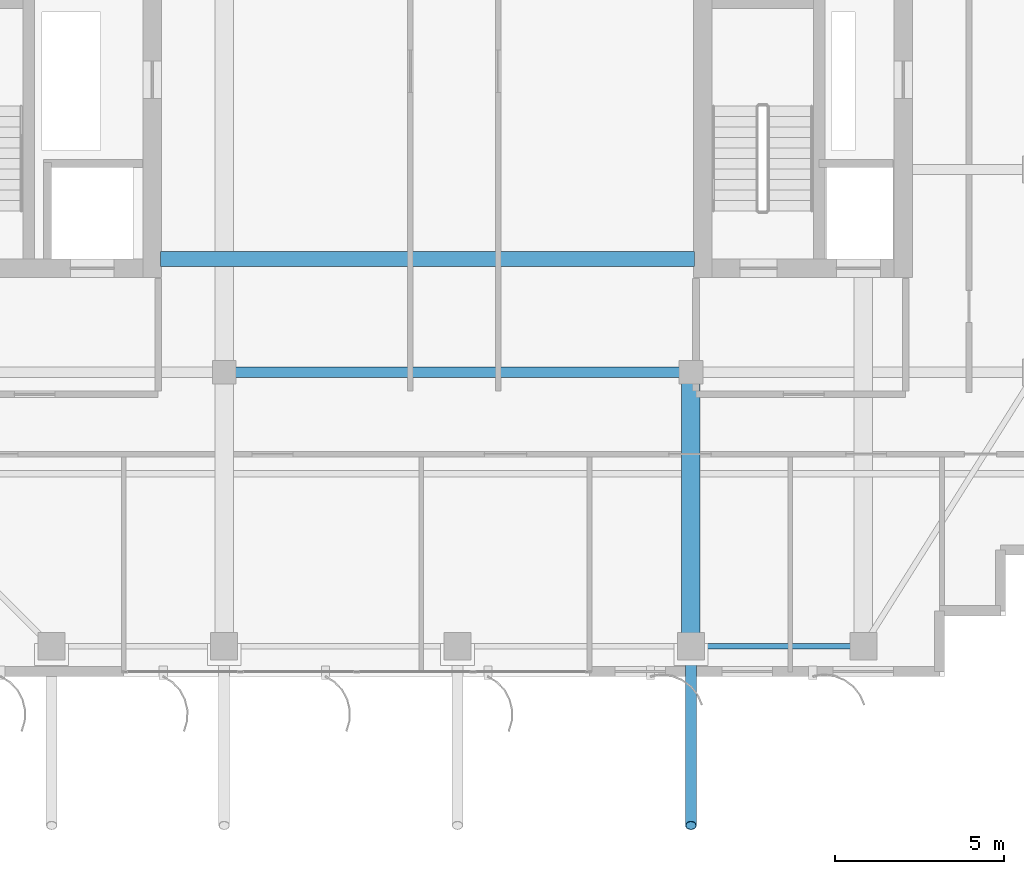
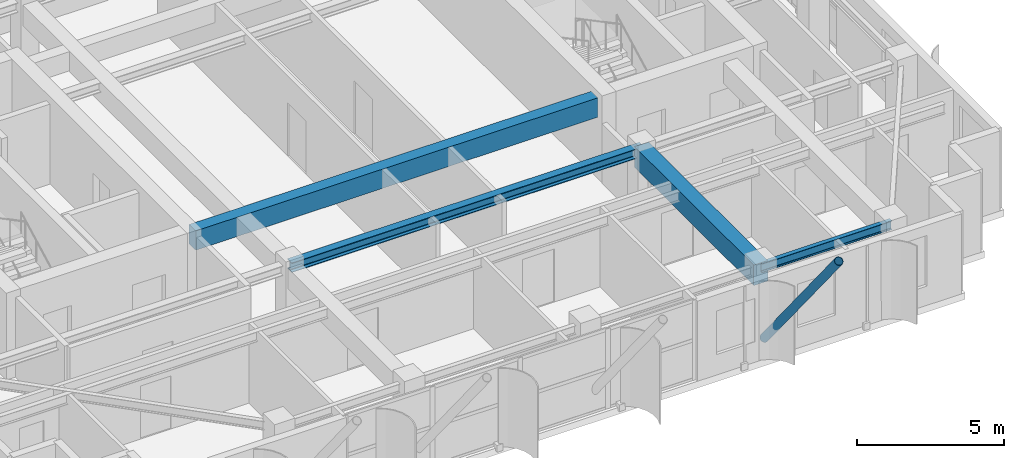
# One storey, part 6 of 22: 4 beams, 1 member.
"""IFC4 building model written with IfcOpenShell, lengths in metres."""

from ifc_helpers import new_model, si_unit, direction, frame, origin, origin_2d, place, context, subcontext, project, spatial, rectangle, hollow_circle, i_section, extrude, source, transform, mapped, material, material_profile, profile_set, type_object, element, save


model = new_model("IFC4")

# Units and contexts
model_context = context("Model", 3, precision=1e-05, world=origin(), true_north=direction((0.0, 1.0)))
body_context = subcontext(model_context, "Body", "Model", "MODEL_VIEW")
ifc_project = project(units=[si_unit("LENGTHUNIT", "METRE"), si_unit("AREAUNIT", "SQUARE_METRE"), si_unit("VOLUMEUNIT", "CUBIC_METRE"), si_unit("PLANEANGLEUNIT", "RADIAN"), si_unit("MASSUNIT", "GRAM", prefix="KILO")], contexts=[model_context])

# Site, building, storey
site_placement = place(None, origin())
site = spatial("IfcSite", under=ifc_project, at=site_placement, CompositionType="ELEMENT")
building_placement = place(site_placement, origin())
building = spatial("IfcBuilding", under=site, at=building_placement, Name="Khoralis Quay Care Tower", CompositionType="ELEMENT")
storey_placement = place(building_placement, frame((0.0, 0.0, 278.10009765625)))
storey = spatial("IfcBuildingStorey", under=building, at=storey_placement, Name="L73", CompositionType="ELEMENT", Elevation=278.10009765625)

# Beams
ifc_material_1 = material(Name="Concrete C50/60", Category="concrete")
ifc_material_profile_1 = material_profile(ifc_material_1, rectangle(XDim=0.449951171875, YDim=0.800048828125, at=origin_2d()), Name="Concrete C50/60")
ifc_profile_set_1 = profile_set([ifc_material_profile_1], Name="Concrete C50/60")
beam_type_1 = type_object("IfcBeamType", Name="CB-RC450X800", PredefinedType="LINTEL", material=ifc_profile_set_1)
shared_shape_1 = source(origin(), body_context, "Body", "SweptSolid", [
    extrude(rectangle(XDim=0.449951171875, YDim=0.800048828125, at=origin_2d()), origin(), (0.0, 0.0, 1.0), 15.780029296875),
])
beam_1_placement = place(storey_placement, frame((15.219970703125, 15.35009765625, 2.919921875), z_axis=(1.0, 0.0, 0.0), x_axis=(0.0, 1.0, 0.0)))
element("IfcBeam", 1, at=beam_1_placement, inside=storey, type_object=beam_type_1, Name="L73 South Core Coupling Lintel", PredefinedType="LINTEL", context=body_context, shape_type="MappedRepresentation", body=[
    mapped(shared_shape_1, transform((0.0, 0.0, 0.0), scale=1.0)),
])
ifc_material_2 = material(Name="Steel S355", Category="steel")
ifc_material_profile_2 = material_profile(ifc_material_2, i_section(OverallWidth=0.169921875, OverallDepth=0.360107421875, WebThickness=0.008056640625, FlangeThickness=0.0126953125, FilletRadius=0.01806640625, at=origin_2d()), Name="Steel S355")
ifc_profile_set_2 = profile_set([ifc_material_profile_2], Name="Steel S355")
beam_type_2 = type_object("IfcBeamType", Name="BM-IPE360", PredefinedType="SPANDREL", material=ifc_profile_set_2)
shared_shape_2 = source(origin(), body_context, "Body", "SweptSolid", [
    extrude(i_section(OverallWidth=0.169921875, OverallDepth=0.360107421875, WebThickness=0.008056640625, FlangeThickness=0.0126953125, FilletRadius=0.01806640625, at=origin_2d()), origin(), (0.0, 0.0, 1.0), 5.10009765625),
])
beam_2_placement = place(storey_placement, frame((30.89990234375, 3.89990234375, 3.139892578125), z_axis=(1.0, 0.0, 0.0), x_axis=(0.0, 1.0, 0.0)))
element("IfcBeam", 2, at=beam_2_placement, inside=storey, type_object=beam_type_2, Name="BM-TSP-L73-04", PredefinedType="SPANDREL", context=body_context, shape_type="MappedRepresentation", body=[
    mapped(shared_shape_2, transform((0.0, 0.0, 0.0), scale=1.0)),
])
ifc_material_profile_3 = material_profile(ifc_material_1, rectangle(XDim=0.550048828125, YDim=0.85009765625, at=origin_2d()), Name="Concrete C50/60")
ifc_profile_set_3 = profile_set([ifc_material_profile_3], Name="Concrete C50/60")
beam_type_3 = type_object("IfcBeamType", Name="BM-RC550X850", PredefinedType="BEAM", material=ifc_profile_set_3)
shared_shape_3 = source(origin(), body_context, "Body", "SweptSolid", [
    extrude(rectangle(XDim=0.550048828125, YDim=0.85009765625, at=origin_2d()), origin(), (0.0, 0.0, 1.0), 8.10009765625),
])
beam_3_placement = place(storey_placement, frame((30.89990234375, 3.89990234375, 2.89501953125), z_axis=(0.0, 1.0, 0.0), x_axis=(-1.0, 0.0, 0.0)))
element("IfcBeam", 3, at=beam_3_placement, inside=storey, type_object=beam_type_3, Name="BM-TGYS-L73-309", PredefinedType="BEAM", context=body_context, shape_type="MappedRepresentation", body=[
    mapped(shared_shape_3, transform((0.0, 0.0, 0.0), scale=1.0)),
])
ifc_material_profile_4 = material_profile(ifc_material_2, i_section(OverallWidth=0.300048828125, OverallDepth=0.39990234375, WebThickness=0.013427734375, FlangeThickness=0.02392578125, FilletRadius=0.027099609375, at=origin_2d()), Name="Steel S355")
ifc_profile_set_4 = profile_set([ifc_material_profile_4], Name="Steel S355")
beam_type_4 = type_object("IfcBeamType", Name="BM-HEB400", PredefinedType="BEAM", material=ifc_profile_set_4)
shared_shape_4 = source(origin(), body_context, "Body", "SweptSolid", [
    extrude(i_section(OverallWidth=0.300048828125, OverallDepth=0.39990234375, WebThickness=0.013427734375, FlangeThickness=0.02392578125, FilletRadius=0.027099609375, at=origin_2d()), origin(), (0.0, 0.0, 1.0), 13.7998046875),
])
beam_4_placement = place(storey_placement, frame((17.10009765625, 12.0, 3.119873046875), z_axis=(1.0, 0.0, 0.0), x_axis=(0.0, 1.0, 0.0)))
element("IfcBeam", 4, at=beam_4_placement, inside=storey, type_object=beam_type_4, Name="BM-TGCC-L73-120", PredefinedType="BEAM", context=body_context, shape_type="MappedRepresentation", body=[
    mapped(shared_shape_4, transform((0.0, 0.0, 0.0), scale=1.0)),
])

# Member
ifc_material_profile_5 = material_profile(ifc_material_2, hollow_circle(Radius=0.161865234375, WallThickness=0.01611328125, at=origin_2d()), Name="Steel S355")
ifc_profile_set_5 = profile_set([ifc_material_profile_5], Name="Steel S355")
member_type = type_object("IfcMemberType", Name="ST-CHS323X16", PredefinedType="STRUT", material=ifc_profile_set_5)
shared_shape_5 = source(origin(), body_context, "Body", "SweptSolid", [
    extrude(hollow_circle(Radius=0.161865234375, WallThickness=0.01611328125, at=origin_2d()), origin(), (0.0, 0.0, 1.0), 8.04150390625),
])
member_placement = place(storey_placement, frame((30.89990234375, 3.659912109375, 0.349853515625), z_axis=(0.0, -0.629220062981, 0.777227194804), x_axis=(1.0, 0.0, 0.0)))
element("IfcMember", 5, at=member_placement, inside=storey, type_object=member_type, Name="L73 Sky Pool Raking Strut 4A", PredefinedType="STRUT", context=body_context, shape_type="MappedRepresentation", body=[
    mapped(shared_shape_5, transform((0.0, 0.0, 0.0), scale=1.0)),
])

save(model, "model.ifc")
